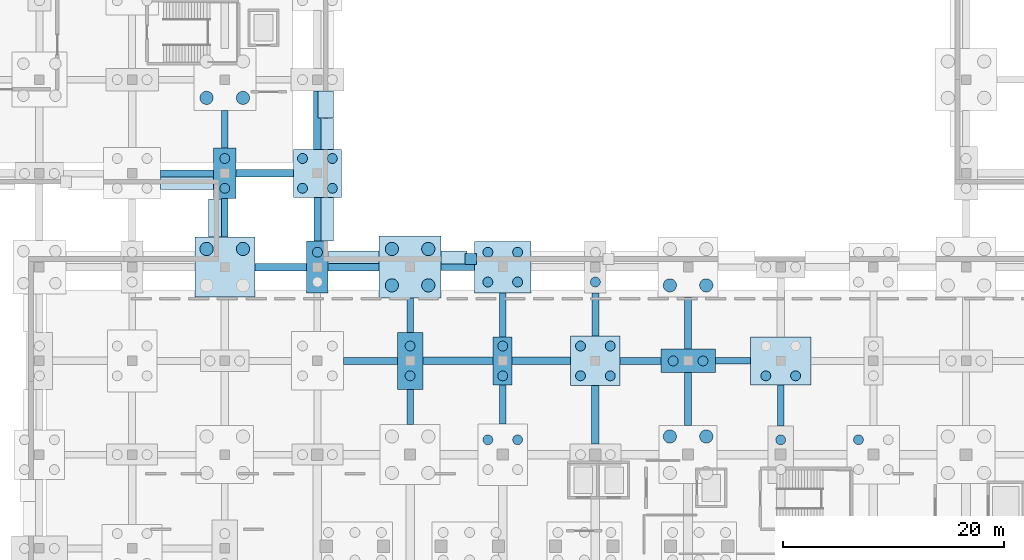
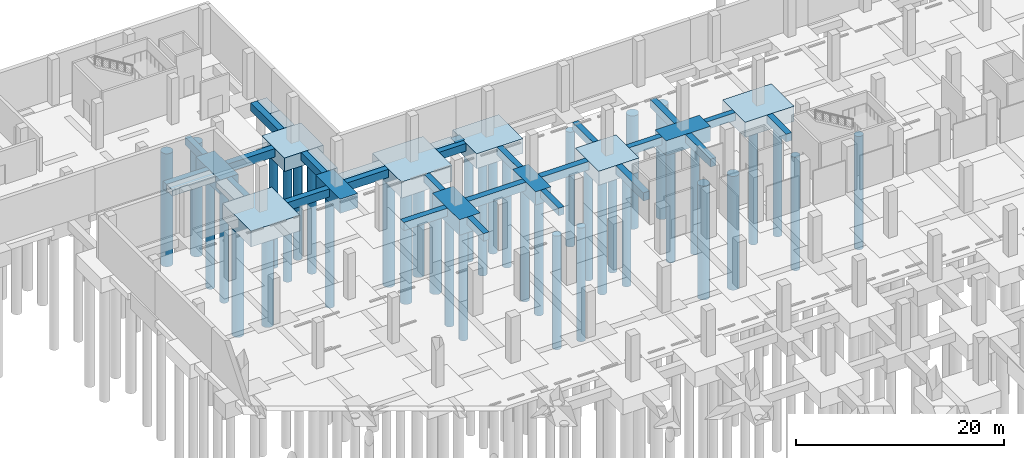
# One storey, part 10 of 34: 42 footings, 40 piles.
"""IFC4 building model written with IfcOpenShell, lengths in metres."""

from ifc_helpers import new_model, si_unit, direction, frame, origin, origin_2d, place, context, subcontext, project, spatial, rectangle, circle, extrude, material, material_profile, profile_set, type_object, element, save


model = new_model("IFC4")

# Units and contexts
model_context = context("Model", 3, precision=1e-05, world=origin(), true_north=direction((0.0, 1.0)))
body_context = subcontext(model_context, "Body", "Model", "MODEL_VIEW")
ifc_project = project(units=[si_unit("LENGTHUNIT", "METRE"), si_unit("AREAUNIT", "SQUARE_METRE"), si_unit("VOLUMEUNIT", "CUBIC_METRE"), si_unit("PLANEANGLEUNIT", "RADIAN"), si_unit("MASSUNIT", "GRAM", prefix="KILO")], contexts=[model_context])

# Site, building, storey
site_placement = place(None, origin())
site = spatial("IfcSite", under=ifc_project, at=site_placement, CompositionType="ELEMENT")
building_placement = place(site_placement, origin())
building = spatial("IfcBuilding", under=site, at=building_placement, Name="Solvento Point Concert Hall", CompositionType="ELEMENT")
storey_placement = place(building_placement, frame((0.0, 0.0, -5.39990234375)))
storey = spatial("IfcBuildingStorey", under=building, at=storey_placement, Name="B01", CompositionType="ELEMENT", Elevation=-5.39990234375)

# Piles
ifc_material_1 = material(Name="Concrete C40/50", Category="concrete")
ifc_material_profile_1 = material_profile(ifc_material_1, circle(Radius=0.60009765625, at=origin_2d()), Name="BP-1200")
ifc_profile_set_1 = profile_set([ifc_material_profile_1], Name="Concrete C40/50")
pile_type_1 = type_object("IfcPileType", Name="BoredPile_1200", PredefinedType="BORED", material=ifc_profile_set_1)
for number, where, z_axis, x_axis, name in (
    (1, (64.35009765625, 112.14990234375, -1.75), (0.0, 0.0, -1.0), (1.0, 0.0, 0.0), "Bored pile BoredPile_1200 #249"),
    (2, (67.64990234375, 112.14990234375, -1.75), (0.0, 0.0, -1.0), (1.0, 0.0, 0.0), "Bored pile BoredPile_1200 #250"),
):
    element("IfcPile", number, at=place(storey_placement, frame(where, z_axis=z_axis, x_axis=x_axis)), inside=storey, type_object=pile_type_1, Name=name, PredefinedType="BORED", context=body_context, shape_type="SweptSolid", body=[
        extrude(circle(Radius=0.60009765625, at=origin_2d()), origin(), (0.0, 0.0, 1.0), 13.35009765625),
    ])
for number, where, z_axis, x_axis, name in (
    (3, (64.35009765625, 125.85009765625, -1.800048828125), (0.0, 0.0, -1.0), (1.0, 0.0, 0.0), "Bored pile BoredPile_1200 #253"),
    (4, (67.64990234375, 125.85009765625, -1.800048828125), (0.0, 0.0, -1.0), (1.0, 0.0, 0.0), "Bored pile BoredPile_1200 #254"),
    (5, (81.14990234375, 108.85009765625, -1.800048828125), (0.0, 0.0, -1.0), (1.0, 0.0, 0.0), "Bored pile BoredPile_1200 #325"),
    (6, (84.449951171875, 108.85009765625, -1.800048828125), (0.0, 0.0, -1.0), (1.0, 0.0, 0.0), "Bored pile BoredPile_1200 #326"),
    (7, (81.14990234375, 112.14990234375, -1.800048828125), (0.0, 0.0, -1.0), (1.0, 0.0, 0.0), "Bored pile BoredPile_1200 #327"),
    (8, (84.449951171875, 112.14990234375, -1.800048828125), (0.0, 0.0, -1.0), (1.0, 0.0, 0.0), "Bored pile BoredPile_1200 #328"),
):
    element("IfcPile", number, at=place(storey_placement, frame(where, z_axis=z_axis, x_axis=x_axis)), inside=storey, type_object=pile_type_1, Name=name, PredefinedType="BORED", context=body_context, shape_type="SweptSolid", body=[
        extrude(circle(Radius=0.60009765625, at=origin_2d()), origin(), (0.0, 0.0, 1.0), 13.300048828125),
    ])
for number, where, z_axis, x_axis, name in (
    (9, (106.35009765625, 95.14990234375, -1.7001953125), (0.0, 0.0, -1.0), (1.0, 0.0, 0.0), "Bored pile BoredPile_1200 #387"),
    (10, (109.64990234375, 95.14990234375, -1.7001953125), (0.0, 0.0, -1.0), (1.0, 0.0, 0.0), "Bored pile BoredPile_1200 #388"),
):
    element("IfcPile", number, at=place(storey_placement, frame(where, z_axis=z_axis, x_axis=x_axis)), inside=storey, type_object=pile_type_1, Name=name, PredefinedType="BORED", context=body_context, shape_type="SweptSolid", body=[
        extrude(circle(Radius=0.60009765625, at=origin_2d()), origin(), (0.0, 0.0, 1.0), 13.39990234375),
    ])
for number, where, z_axis, x_axis, name in (
    (11, (106.35009765625, 108.85009765625, -1.75), (0.0, 0.0, -1.0), (1.0, 0.0, 0.0), "Bored pile BoredPile_1200 #391"),
    (12, (109.64990234375, 108.85009765625, -1.75), (0.0, 0.0, -1.0), (1.0, 0.0, 0.0), "Bored pile BoredPile_1200 #392"),
):
    element("IfcPile", number, at=place(storey_placement, frame(where, z_axis=z_axis, x_axis=x_axis)), inside=storey, type_object=pile_type_1, Name=name, PredefinedType="BORED", context=body_context, shape_type="SweptSolid", body=[
        extrude(circle(Radius=0.60009765625, at=origin_2d()), origin(), (0.0, 0.0, 1.0), 13.35009765625),
    ])
ifc_material_2 = material(Name="Concrete C40/50", Category="concrete")
ifc_material_profile_2 = material_profile(ifc_material_2, circle(Radius=0.449951171875, at=origin_2d()), Name="BP-900")
ifc_profile_set_2 = profile_set([ifc_material_profile_2], Name="Concrete C40/50")
pile_type_2 = type_object("IfcPileType", Name="BoredPile_900", PredefinedType="BORED", material=ifc_profile_set_2)
for number, where, z_axis, x_axis, name in (
    (13, (66.0, 117.64990234375, -1.56005859375), (0.0, 0.0, -1.0), (1.0, 0.0, 0.0), "Bored pile BoredPile_900 #251"),
    (14, (66.0, 120.35009765625, -1.56005859375), (0.0, 0.0, -1.0), (1.0, 0.0, 0.0), "Bored pile BoredPile_900 #252"),
):
    element("IfcPile", number, at=place(storey_placement, frame(where, z_axis=z_axis, x_axis=x_axis)), inside=storey, type_object=pile_type_2, Name=name, PredefinedType="BORED", context=body_context, shape_type="SweptSolid", body=[
        extrude(circle(Radius=0.449951171875, at=origin_2d()), origin(), (0.0, 0.0, 1.0), 13.5400390625),
    ])
pile_1_placement = place(storey_placement, frame((74.39990234375, 111.85009765625, -1.580078125), z_axis=(0.0, 0.0, -1.0), x_axis=(1.0, 0.0, 0.0)))
element("IfcPile", 15, at=pile_1_placement, inside=storey, type_object=pile_type_2, Name="Bored pile BoredPile_900 #288", PredefinedType="BORED", context=body_context, shape_type="SweptSolid", body=[
    extrude(circle(Radius=0.449951171875, at=origin_2d()), origin(), (0.0, 0.0, 1.0), 13.52001953125),
])
for number, where, z_axis, x_axis, name in (
    (16, (73.050048828125, 117.64990234375, -1.5), (0.0, 0.0, -1.0), (1.0, 0.0, 0.0), "Bored pile BoredPile_900 #289"),
    (17, (75.75, 117.64990234375, -1.5), (0.0, 0.0, -1.0), (1.0, 0.0, 0.0), "Bored pile BoredPile_900 #290"),
    (18, (73.050048828125, 120.35009765625, -1.5), (0.0, 0.0, -1.0), (1.0, 0.0, 0.0), "Bored pile BoredPile_900 #291"),
    (19, (75.75, 120.35009765625, -1.5), (0.0, 0.0, -1.0), (1.0, 0.0, 0.0), "Bored pile BoredPile_900 #292"),
):
    element("IfcPile", number, at=place(storey_placement, frame(where, z_axis=z_axis, x_axis=x_axis)), inside=storey, type_object=pile_type_2, Name=name, PredefinedType="BORED", context=body_context, shape_type="SweptSolid", body=[
        extrude(circle(Radius=0.449951171875, at=origin_2d()), origin(), (0.0, 0.0, 1.0), 13.60009765625),
    ])
for number, where, z_axis, x_axis, name in (
    (20, (82.800048828125, 100.64990234375, -1.739990234375), (0.0, 0.0, -1.0), (1.0, 0.0, 0.0), "Bored pile BoredPile_900 #323"),
    (21, (82.800048828125, 103.35009765625, -1.739990234375), (0.0, 0.0, -1.0), (1.0, 0.0, 0.0), "Bored pile BoredPile_900 #324"),
):
    element("IfcPile", number, at=place(storey_placement, frame(where, z_axis=z_axis, x_axis=x_axis)), inside=storey, type_object=pile_type_2, Name=name, PredefinedType="BORED", context=body_context, shape_type="SweptSolid", body=[
        extrude(circle(Radius=0.449951171875, at=origin_2d()), origin(), (0.0, 0.0, 1.0), 13.360107421875),
    ])
for number, where, z_axis, x_axis, name in (
    (22, (89.85009765625, 94.85009765625, -1.72021484375), (0.0, 0.0, -1.0), (1.0, 0.0, 0.0), "Bored pile BoredPile_900 #345"),
    (23, (92.550048828125, 94.85009765625, -1.72021484375), (0.0, 0.0, -1.0), (1.0, 0.0, 0.0), "Bored pile BoredPile_900 #346"),
):
    element("IfcPile", number, at=place(storey_placement, frame(where, z_axis=z_axis, x_axis=x_axis)), inside=storey, type_object=pile_type_2, Name=name, PredefinedType="BORED", context=body_context, shape_type="SweptSolid", body=[
        extrude(circle(Radius=0.449951171875, at=origin_2d()), origin(), (0.0, 0.0, 1.0), 13.3798828125),
    ])
for number, where, z_axis, x_axis, name in (
    (24, (91.199951171875, 100.64990234375, -1.47998046875), (0.0, 0.0, -1.0), (1.0, 0.0, 0.0), "Bored pile BoredPile_900 #347"),
    (25, (91.199951171875, 103.35009765625, -1.47998046875), (0.0, 0.0, -1.0), (1.0, 0.0, 0.0), "Bored pile BoredPile_900 #348"),
):
    element("IfcPile", number, at=place(storey_placement, frame(where, z_axis=z_axis, x_axis=x_axis)), inside=storey, type_object=pile_type_2, Name=name, PredefinedType="BORED", context=body_context, shape_type="SweptSolid", body=[
        extrude(circle(Radius=0.449951171875, at=origin_2d()), origin(), (0.0, 0.0, 1.0), 13.6201171875),
    ])
for number, where, z_axis, x_axis, name in (
    (26, (89.85009765625, 109.14990234375, -1.64013671875), (0.0, 0.0, -1.0), (1.0, 0.0, 0.0), "Bored pile BoredPile_900 #349"),
    (27, (92.550048828125, 109.14990234375, -1.64013671875), (0.0, 0.0, -1.0), (1.0, 0.0, 0.0), "Bored pile BoredPile_900 #350"),
    (28, (89.85009765625, 111.85009765625, -1.64013671875), (0.0, 0.0, -1.0), (1.0, 0.0, 0.0), "Bored pile BoredPile_900 #351"),
    (29, (92.550048828125, 111.85009765625, -1.64013671875), (0.0, 0.0, -1.0), (1.0, 0.0, 0.0), "Bored pile BoredPile_900 #352"),
):
    element("IfcPile", number, at=place(storey_placement, frame(where, z_axis=z_axis, x_axis=x_axis)), inside=storey, type_object=pile_type_2, Name=name, PredefinedType="BORED", context=body_context, shape_type="SweptSolid", body=[
        extrude(circle(Radius=0.449951171875, at=origin_2d()), origin(), (0.0, 0.0, 1.0), 13.4599609375),
    ])
for number, where, z_axis, x_axis, name in (
    (30, (98.25, 100.64990234375, -1.550048828125), (0.0, 0.0, -1.0), (1.0, 0.0, 0.0), "Bored pile BoredPile_900 #367"),
    (31, (100.949951171875, 100.64990234375, -1.550048828125), (0.0, 0.0, -1.0), (1.0, 0.0, 0.0), "Bored pile BoredPile_900 #368"),
    (32, (98.25, 103.35009765625, -1.550048828125), (0.0, 0.0, -1.0), (1.0, 0.0, 0.0), "Bored pile BoredPile_900 #369"),
    (33, (100.949951171875, 103.35009765625, -1.550048828125), (0.0, 0.0, -1.0), (1.0, 0.0, 0.0), "Bored pile BoredPile_900 #370"),
):
    element("IfcPile", number, at=place(storey_placement, frame(where, z_axis=z_axis, x_axis=x_axis)), inside=storey, type_object=pile_type_2, Name=name, PredefinedType="BORED", context=body_context, shape_type="SweptSolid", body=[
        extrude(circle(Radius=0.449951171875, at=origin_2d()), origin(), (0.0, 0.0, 1.0), 13.550048828125),
    ])
pile_2_placement = place(storey_placement, frame((99.60009765625, 109.14990234375, -1.580078125), z_axis=(0.0, 0.0, -1.0), x_axis=(1.0, 0.0, 0.0)))
element("IfcPile", 34, at=pile_2_placement, inside=storey, type_object=pile_type_2, Name="Bored pile BoredPile_900 #371", PredefinedType="BORED", context=body_context, shape_type="SweptSolid", body=[
    extrude(circle(Radius=0.449951171875, at=origin_2d()), origin(), (0.0, 0.0, 1.0), 13.52001953125),
])
for number, where, z_axis, x_axis, name in (
    (35, (106.64990234375, 102.0, -1.650146484375), (0.0, 0.0, -1.0), (1.0, 0.0, 0.0), "Bored pile BoredPile_900 #389"),
    (36, (109.35009765625, 102.0, -1.650146484375), (0.0, 0.0, -1.0), (1.0, 0.0, 0.0), "Bored pile BoredPile_900 #390"),
):
    element("IfcPile", number, at=place(storey_placement, frame(where, z_axis=z_axis, x_axis=x_axis)), inside=storey, type_object=pile_type_2, Name=name, PredefinedType="BORED", context=body_context, shape_type="SweptSolid", body=[
        extrude(circle(Radius=0.449951171875, at=origin_2d()), origin(), (0.0, 0.0, 1.0), 13.449951171875),
    ])
pile_3_placement = place(storey_placement, frame((116.39990234375, 94.85009765625, -1.739990234375), z_axis=(0.0, 0.0, -1.0), x_axis=(1.0, 0.0, 0.0)))
element("IfcPile", 37, at=pile_3_placement, inside=storey, type_object=pile_type_2, Name="Bored pile BoredPile_900 #408", PredefinedType="BORED", context=body_context, shape_type="SweptSolid", body=[
    extrude(circle(Radius=0.449951171875, at=origin_2d()), origin(), (0.0, 0.0, 1.0), 13.360107421875),
])
for number, where, z_axis, x_axis, name in (
    (38, (115.050048828125, 100.64990234375, -1.68017578125), (0.0, 0.0, -1.0), (1.0, 0.0, 0.0), "Bored pile BoredPile_900 #409"),
    (39, (117.75, 100.64990234375, -1.68017578125), (0.0, 0.0, -1.0), (1.0, 0.0, 0.0), "Bored pile BoredPile_900 #410"),
):
    element("IfcPile", number, at=place(storey_placement, frame(where, z_axis=z_axis, x_axis=x_axis)), inside=storey, type_object=pile_type_2, Name=name, PredefinedType="BORED", context=body_context, shape_type="SweptSolid", body=[
        extrude(circle(Radius=0.449951171875, at=origin_2d()), origin(), (0.0, 0.0, 1.0), 13.419921875),
    ])
pile_4_placement = place(storey_placement, frame((123.449951171875, 94.85009765625, -1.760009765625), z_axis=(0.0, 0.0, -1.0), x_axis=(1.0, 0.0, 0.0)))
element("IfcPile", 40, at=pile_4_placement, inside=storey, type_object=pile_type_2, Name="Bored pile BoredPile_900 #429", PredefinedType="BORED", context=body_context, shape_type="SweptSolid", body=[
    extrude(circle(Radius=0.449951171875, at=origin_2d()), origin(), (0.0, 0.0, 1.0), 13.340087890625),
])

# Footings
ifc_material_3 = material(Name="Concrete C40/50", Category="concrete")
footing_type_1 = type_object("IfcFootingType", Name="PileCap_2B", PredefinedType="PILE_CAP", material=ifc_material_3)
footing_1_placement = place(storey_placement, frame((91.199951171875, 102.0, -1.580078125), z_axis=(0.0, 0.0, 1.0), x_axis=(1.0, 0.0, 0.0)))
element("IfcFooting", 41, at=footing_1_placement, inside=storey, type_object=footing_type_1, Name="Pile cap PC-2B at G-12-N", PredefinedType="PILE_CAP", context=body_context, shape_type="SweptSolid", body=[
    extrude(rectangle(XDim=1.719970703125, YDim=4.3798828125, at=origin_2d()), origin(), (0.0, 0.0, 1.0), 1.580078125),
])
ifc_material_4 = material(Name="Concrete C40/50", Category="concrete")
footing_type_2 = type_object("IfcFootingType", Name="PileCap_2F", PredefinedType="PILE_CAP", material=ifc_material_4)
footing_2_placement = place(storey_placement, frame((74.39990234375, 110.5, -1.68017578125), z_axis=(0.0, 0.0, 1.0), x_axis=(1.0, 0.0, 0.0)))
element("IfcFooting", 42, at=footing_2_placement, inside=storey, type_object=footing_type_2, Name="Pile cap PC-2F at G-10-P", PredefinedType="PILE_CAP", context=body_context, shape_type="SweptSolid", body=[
    extrude(rectangle(XDim=1.9599609375, YDim=4.699951171875, at=origin_2d()), origin(), (0.0, 0.0, 1.0), 1.679931640625),
])
ifc_material_5 = material(Name="Concrete C40/50", Category="concrete")
footing_type_3 = type_object("IfcFootingType", Name="PileCap_2J", PredefinedType="PILE_CAP", material=ifc_material_5)
footing_3_placement = place(storey_placement, frame((108.0, 102.0, -1.75), z_axis=(0.0, 0.0, 1.0), x_axis=(1.0, 0.0, 0.0)))
element("IfcFooting", 43, at=footing_3_placement, inside=storey, type_object=footing_type_3, Name="Pile cap PC-2J at G-14-N", PredefinedType="PILE_CAP", context=body_context, shape_type="SweptSolid", body=[
    extrude(rectangle(XDim=4.93994140625, YDim=2.139892578125, at=origin_2d()), origin(), (0.0, 0.0, 1.0), 1.75),
])
ifc_material_6 = material(Name="Concrete C40/50", Category="concrete")
footing_type_4 = type_object("IfcFootingType", Name="PileCap_2M", PredefinedType="PILE_CAP", material=ifc_material_6)
footing_4_placement = place(storey_placement, frame((82.800048828125, 102.0, -1.84033203125), z_axis=(0.0, 0.0, 1.0), x_axis=(1.0, 0.0, 0.0)))
element("IfcFooting", 44, at=footing_4_placement, inside=storey, type_object=footing_type_4, Name="Pile cap PC-2M at G-11-N", PredefinedType="PILE_CAP", context=body_context, shape_type="SweptSolid", body=[
    extrude(rectangle(XDim=2.320068359375, YDim=5.179931640625, at=origin_2d()), origin(), (0.0, 0.0, 1.0), 1.840087890625),
])
ifc_material_7 = material(Name="Concrete C40/50", Category="concrete")
footing_type_5 = type_object("IfcFootingType", Name="PileCap_2P", PredefinedType="PILE_CAP", material=ifc_material_7)
footing_5_placement = place(storey_placement, frame((66.0, 119.0, -1.66015625), z_axis=(0.0, 0.0, 1.0), x_axis=(1.0, 0.0, 0.0)))
element("IfcFooting", 45, at=footing_5_placement, inside=storey, type_object=footing_type_5, Name="Pile cap PC-2P at G-09-Q", PredefinedType="PILE_CAP", context=body_context, shape_type="SweptSolid", body=[
    extrude(rectangle(XDim=2.050048828125, YDim=4.580078125, at=origin_2d()), origin(), (0.0, 0.0, 1.0), 1.659912109375),
])
ifc_material_8 = material(Name="Concrete C40/50", Category="concrete")
footing_type_6 = type_object("IfcFootingType", Name="PileCap_4A", PredefinedType="PILE_CAP", material=ifc_material_8)
footing_6_placement = place(storey_placement, frame((74.39990234375, 119.0, -1.60009765625), z_axis=(0.0, 0.0, 1.0), x_axis=(1.0, 0.0, 0.0)))
element("IfcFooting", 46, at=footing_6_placement, inside=storey, type_object=footing_type_6, Name="Pile cap PC-4A at G-10-Q", PredefinedType="PILE_CAP", context=body_context, shape_type="SweptSolid", body=[
    extrude(rectangle(XDim=4.35009765625, YDim=4.35009765625, at=origin_2d()), origin(), (0.0, 0.0, 1.0), 1.60009765625),
])
ifc_material_9 = material(Name="Concrete C40/50", Category="concrete")
footing_type_7 = type_object("IfcFootingType", Name="PileCap_4B", PredefinedType="PILE_CAP", material=ifc_material_9)
footing_7_placement = place(storey_placement, frame((99.60009765625, 102.0, -1.650146484375), z_axis=(0.0, 0.0, 1.0), x_axis=(1.0, 0.0, 0.0)))
element("IfcFooting", 47, at=footing_7_placement, inside=storey, type_object=footing_type_7, Name="Pile cap PC-4B at G-13-N", PredefinedType="PILE_CAP", context=body_context, shape_type="SweptSolid", body=[
    extrude(rectangle(XDim=4.5, YDim=4.5, at=origin_2d()), origin(), (0.0, 0.0, 1.0), 1.64990234375),
])
ifc_material_10 = material(Name="Concrete C40/50", Category="concrete")
footing_type_8 = type_object("IfcFootingType", Name="PileCap_4F", PredefinedType="PILE_CAP", material=ifc_material_10)
footing_8_placement = place(storey_placement, frame((66.0, 110.5, -1.85009765625), z_axis=(0.0, 0.0, 1.0), x_axis=(1.0, 0.0, 0.0)))
element("IfcFooting", 48, at=footing_8_placement, inside=storey, type_object=footing_type_8, Name="Pile cap PC-4F at G-09-P", PredefinedType="PILE_CAP", context=body_context, shape_type="SweptSolid", body=[
    extrude(rectangle(XDim=5.43994140625, YDim=5.43994140625, at=origin_2d()), origin(), (0.0, 0.0, 1.0), 1.85009765625),
])
ifc_material_11 = material(Name="Concrete C40/50", Category="concrete")
footing_type_9 = type_object("IfcFootingType", Name="PileCap_4G", PredefinedType="PILE_CAP", material=ifc_material_11)
footing_9_placement = place(storey_placement, frame((82.800048828125, 110.5, -1.900146484375), z_axis=(0.0, 0.0, 1.0), x_axis=(1.0, 0.0, 0.0)))
element("IfcFooting", 49, at=footing_9_placement, inside=storey, type_object=footing_type_9, Name="Pile cap PC-4G at G-11-P", PredefinedType="PILE_CAP", context=body_context, shape_type="SweptSolid", body=[
    extrude(rectangle(XDim=5.6201171875, YDim=5.6201171875, at=origin_2d()), origin(), (0.0, 0.0, 1.0), 1.89990234375),
])
ifc_material_12 = material(Name="Concrete C40/50", Category="concrete")
footing_type_10 = type_object("IfcFootingType", Name="PileCap_4J", PredefinedType="PILE_CAP", material=ifc_material_12)
footing_10_placement = place(storey_placement, frame((116.39990234375, 102.0, -1.7802734375), z_axis=(0.0, 0.0, 1.0), x_axis=(1.0, 0.0, 0.0)))
element("IfcFooting", 50, at=footing_10_placement, inside=storey, type_object=footing_type_10, Name="Pile cap PC-4J at G-15-N", PredefinedType="PILE_CAP", context=body_context, shape_type="SweptSolid", body=[
    extrude(rectangle(XDim=5.4599609375, YDim=4.360107421875, at=origin_2d()), origin(), (0.0, 0.0, 1.0), 1.780029296875),
])
ifc_material_13 = material(Name="Concrete C40/50", Category="concrete")
footing_type_11 = type_object("IfcFootingType", Name="PileCap_4L", PredefinedType="PILE_CAP", material=ifc_material_13)
footing_11_placement = place(storey_placement, frame((91.199951171875, 110.5, -1.740234375), z_axis=(0.0, 0.0, 1.0), x_axis=(1.0, 0.0, 0.0)))
element("IfcFooting", 51, at=footing_11_placement, inside=storey, type_object=footing_type_11, Name="Pile cap PC-4L at G-12-P", PredefinedType="PILE_CAP", context=body_context, shape_type="SweptSolid", body=[
    extrude(rectangle(XDim=5.159912109375, YDim=4.659912109375, at=origin_2d()), origin(), (0.0, 0.0, 1.0), 1.739990234375),
])
ifc_material_14 = material(Name="Concrete C40/50", Category="concrete")
footing_type_12 = type_object("IfcFootingType", Name="StripFooting_1400x700", PredefinedType="STRIP_FOOTING", material=ifc_material_14)
footing_12_placement = place(storey_placement, frame((65.2451171875, 114.965087890625, -0.7001953125), z_axis=(0.0, 0.0, 1.0), x_axis=(0.0, 1.0, 0.0)))
element("IfcFooting", 52, at=footing_12_placement, inside=storey, type_object=footing_type_12, Name="Strip footing SF-02", PredefinedType="STRIP_FOOTING", context=body_context, shape_type="SweptSolid", body=[
    extrude(rectangle(XDim=3.469970703125, YDim=1.39990234375, at=origin_2d()), origin(), (0.0, 0.0, 1.0), 0.699951171875),
])
footing_13_placement = place(storey_placement, frame((62.577392578125, 118.2451171875, -0.7001953125), z_axis=(0.0, 0.0, 1.0), x_axis=(-1.0, 0.0, 0.0)))
element("IfcFooting", 53, at=footing_13_placement, inside=storey, type_object=footing_type_12, Name="Strip footing SF-02", PredefinedType="STRIP_FOOTING", context=body_context, shape_type="SweptSolid", body=[
    extrude(rectangle(XDim=4.77490234375, YDim=1.39990234375, at=origin_2d()), origin(), (0.0, 0.0, 1.0), 0.699951171875),
])
footing_14_placement = place(storey_placement, frame((75.155029296875, 125.242431640625, -0.7001953125), z_axis=(0.0, 0.0, 1.0), x_axis=(0.0, -1.0, 0.0)))
element("IfcFooting", 54, at=footing_14_placement, inside=storey, type_object=footing_type_12, Name="Strip footing SF-02", PredefinedType="STRIP_FOOTING", context=body_context, shape_type="SweptSolid", body=[
    extrude(rectangle(XDim=2.47509765625, YDim=1.39990234375, at=origin_2d()), origin(), (0.0, 0.0, 1.0), 0.699951171875),
])
footing_15_placement = place(storey_placement, frame((75.155029296875, 122.590087890625, -0.7001953125), z_axis=(0.0, 0.0, 1.0), x_axis=(0.0, -1.0, 0.0)))
element("IfcFooting", 55, at=footing_15_placement, inside=storey, type_object=footing_type_12, Name="Strip footing SF-02", PredefinedType="STRIP_FOOTING", context=body_context, shape_type="SweptSolid", body=[
    extrude(rectangle(XDim=2.81005859375, YDim=1.39990234375, at=origin_2d()), origin(), (0.0, 0.0, 1.0), 0.699951171875),
])
footing_16_placement = place(storey_placement, frame((75.155029296875, 114.83740234375, -0.7001953125), z_axis=(0.0, 0.0, 1.0), x_axis=(0.0, -1.0, 0.0)))
element("IfcFooting", 56, at=footing_16_placement, inside=storey, type_object=footing_type_12, Name="Strip footing SF-02", PredefinedType="STRIP_FOOTING", context=body_context, shape_type="SweptSolid", body=[
    extrude(rectangle(XDim=3.955078125, YDim=1.39990234375, at=origin_2d()), origin(), (0.0, 0.0, 1.0), 0.699951171875),
])
footing_17_placement = place(storey_placement, frame((77.68505859375, 111.2548828125, -0.7001953125), z_axis=(0.0, 0.0, 1.0), x_axis=(1.0, 0.0, 0.0)))
element("IfcFooting", 57, at=footing_17_placement, inside=storey, type_object=footing_type_12, Name="Strip footing SF-02", PredefinedType="STRIP_FOOTING", context=body_context, shape_type="SweptSolid", body=[
    extrude(rectangle(XDim=4.590087890625, YDim=1.39990234375, at=origin_2d()), origin(), (0.0, 0.0, 1.0), 0.699951171875),
])
footing_18_placement = place(storey_placement, frame((86.79931640625, 111.2548828125, -0.7001953125), z_axis=(0.0, 0.0, 1.0), x_axis=(1.0, 0.0, 0.0)))
element("IfcFooting", 58, at=footing_18_placement, inside=storey, type_object=footing_type_12, Name="Strip footing SF-02", PredefinedType="STRIP_FOOTING", context=body_context, shape_type="SweptSolid", body=[
    extrude(rectangle(XDim=2.358642578125, YDim=1.39990234375, at=origin_2d()), origin(), (0.0, 0.0, 1.0), 0.699951171875),
])
footing_19_placement = place(storey_placement, frame((88.29931640625, 111.2548828125, -0.7001953125), z_axis=(0.0, 0.0, 1.0), x_axis=(1.0, 0.0, 0.0)))
element("IfcFooting", 59, at=footing_19_placement, inside=storey, type_object=footing_type_12, Name="Strip footing SF-02", PredefinedType="STRIP_FOOTING", context=body_context, shape_type="SweptSolid", body=[
    extrude(rectangle(XDim=1.0, YDim=1.0, at=origin_2d()), origin(), (0.0, 0.0, 1.0), 0.699951171875),
])
ifc_material_15 = material(Name="Concrete C40/50", Category="concrete")
footing_type_13 = type_object("IfcFootingType", Name="TieBeam_600x900", PredefinedType="FOOTING_BEAM", material=ifc_material_15)
footing_20_placement = place(storey_placement, frame((112.070068359375, 102.0, -0.900146484375), z_axis=(0.0, 0.0, 1.0), x_axis=(1.0, 0.0, 0.0)))
element("IfcFooting", 60, at=footing_20_placement, inside=storey, type_object=footing_type_13, Name="Seismic tie beam GB-01", PredefinedType="FOOTING_BEAM", context=body_context, shape_type="SweptSolid", body=[
    extrude(rectangle(XDim=3.199951171875, YDim=0.60009765625, at=origin_2d()), origin(), (0.0, 0.0, 1.0), 0.89990234375),
])
footing_21_placement = place(storey_placement, frame((87.114990234375, 110.5, -0.900146484375), z_axis=(0.0, 0.0, 1.0), x_axis=(1.0, 0.0, 0.0)))
element("IfcFooting", 61, at=footing_21_placement, inside=storey, type_object=footing_type_13, Name="Seismic tie beam GB-01", PredefinedType="FOOTING_BEAM", context=body_context, shape_type="SweptSolid", body=[
    extrude(rectangle(XDim=3.010009765625, YDim=0.60009765625, at=origin_2d()), origin(), (0.0, 0.0, 1.0), 0.89990234375),
])
footing_22_placement = place(storey_placement, frame((66.0, 114.965087890625, -0.900146484375), z_axis=(0.0, 0.0, 1.0), x_axis=(0.0, 1.0, 0.0)))
element("IfcFooting", 62, at=footing_22_placement, inside=storey, type_object=footing_type_13, Name="Seismic tie beam GB-01", PredefinedType="FOOTING_BEAM", context=body_context, shape_type="SweptSolid", body=[
    extrude(rectangle(XDim=3.489990234375, YDim=0.60009765625, at=origin_2d()), origin(), (0.0, 0.0, 1.0), 0.89990234375),
])
footing_23_placement = place(storey_placement, frame((66.0, 122.989990234375, -0.900146484375), z_axis=(0.0, 0.0, 1.0), x_axis=(0.0, 1.0, 0.0)))
element("IfcFooting", 63, at=footing_23_placement, inside=storey, type_object=footing_type_13, Name="Seismic tie beam GB-01", PredefinedType="FOOTING_BEAM", context=body_context, shape_type="SweptSolid", body=[
    extrude(rectangle(XDim=3.39990234375, YDim=0.60009765625, at=origin_2d()), origin(), (0.0, 0.0, 1.0), 0.89990234375),
])
footing_24_placement = place(storey_placement, frame((82.800048828125, 97.81494140625, -0.900146484375), z_axis=(0.0, 0.0, 1.0), x_axis=(0.0, 1.0, 0.0)))
element("IfcFooting", 64, at=footing_24_placement, inside=storey, type_object=footing_type_13, Name="Seismic tie beam GB-01", PredefinedType="FOOTING_BEAM", context=body_context, shape_type="SweptSolid", body=[
    extrude(rectangle(XDim=3.18994140625, YDim=0.60009765625, at=origin_2d()), origin(), (0.0, 0.0, 1.0), 0.89990234375),
])
footing_25_placement = place(storey_placement, frame((82.800048828125, 106.139892578125, -0.900146484375), z_axis=(0.0, 0.0, 1.0), x_axis=(0.0, 1.0, 0.0)))
element("IfcFooting", 65, at=footing_25_placement, inside=storey, type_object=footing_type_13, Name="Seismic tie beam GB-01", PredefinedType="FOOTING_BEAM", context=body_context, shape_type="SweptSolid", body=[
    extrude(rectangle(XDim=3.10009765625, YDim=0.60009765625, at=origin_2d()), origin(), (0.0, 0.0, 1.0), 0.89990234375),
])
footing_26_placement = place(storey_placement, frame((91.199951171875, 98.054931640625, -0.900146484375), z_axis=(0.0, 0.0, 1.0), x_axis=(0.0, 1.0, 0.0)))
element("IfcFooting", 66, at=footing_26_placement, inside=storey, type_object=footing_type_13, Name="Seismic tie beam GB-01", PredefinedType="FOOTING_BEAM", context=body_context, shape_type="SweptSolid", body=[
    extrude(rectangle(XDim=3.510009765625, YDim=0.60009765625, at=origin_2d()), origin(), (0.0, 0.0, 1.0), 0.89990234375),
])
ifc_material_16 = material(Name="Concrete C40/50", Category="concrete")
footing_type_14 = type_object("IfcFootingType", Name="TieBeam_620x920", PredefinedType="FOOTING_BEAM", material=ifc_material_16)
footing_27_placement = place(storey_placement, frame((103.68994140625, 102.0, -0.920166015625), z_axis=(0.0, 0.0, 1.0), x_axis=(1.0, 0.0, 0.0)))
element("IfcFooting", 67, at=footing_27_placement, inside=storey, type_object=footing_type_14, Name="Seismic tie beam GB-02", PredefinedType="FOOTING_BEAM", context=body_context, shape_type="SweptSolid", body=[
    extrude(rectangle(XDim=3.679931640625, YDim=0.6201171875, at=origin_2d()), origin(), (0.0, 0.0, 1.0), 0.919921875),
])
footing_28_placement = place(storey_placement, frame((74.39990234375, 114.83740234375, -0.920166015625), z_axis=(0.0, 0.0, 1.0), x_axis=(0.0, 1.0, 0.0)))
element("IfcFooting", 68, at=footing_28_placement, inside=storey, type_object=footing_type_14, Name="Seismic tie beam GB-02", PredefinedType="FOOTING_BEAM", context=body_context, shape_type="SweptSolid", body=[
    extrude(rectangle(XDim=3.97509765625, YDim=0.6201171875, at=origin_2d()), origin(), (0.0, 0.0, 1.0), 0.919921875),
])
footing_29_placement = place(storey_placement, frame((91.199951171875, 106.179931640625, -0.920166015625), z_axis=(0.0, 0.0, 1.0), x_axis=(0.0, 1.0, 0.0)))
element("IfcFooting", 69, at=footing_29_placement, inside=storey, type_object=footing_type_14, Name="Seismic tie beam GB-02", PredefinedType="FOOTING_BEAM", context=body_context, shape_type="SweptSolid", body=[
    extrude(rectangle(XDim=3.97998046875, YDim=0.6201171875, at=origin_2d()), origin(), (0.0, 0.0, 1.0), 0.919921875),
])
footing_30_placement = place(storey_placement, frame((99.60009765625, 106.199951171875, -0.920166015625), z_axis=(0.0, 0.0, 1.0), x_axis=(0.0, 1.0, 0.0)))
element("IfcFooting", 70, at=footing_30_placement, inside=storey, type_object=footing_type_14, Name="Seismic tie beam GB-02", PredefinedType="FOOTING_BEAM", context=body_context, shape_type="SweptSolid", body=[
    extrude(rectangle(XDim=3.89990234375, YDim=0.6201171875, at=origin_2d()), origin(), (0.0, 0.0, 1.0), 0.919921875),
])
footing_31_placement = place(storey_placement, frame((116.39990234375, 97.955078125, -0.920166015625), z_axis=(0.0, 0.0, 1.0), x_axis=(0.0, 1.0, 0.0)))
element("IfcFooting", 71, at=footing_31_placement, inside=storey, type_object=footing_type_14, Name="Seismic tie beam GB-02", PredefinedType="FOOTING_BEAM", context=body_context, shape_type="SweptSolid", body=[
    extrude(rectangle(XDim=3.72998046875, YDim=0.6201171875, at=origin_2d()), origin(), (0.0, 0.0, 1.0), 0.919921875),
])
ifc_material_17 = material(Name="Concrete C40/50", Category="concrete")
footing_type_15 = type_object("IfcFootingType", Name="TieBeam_650x950", PredefinedType="FOOTING_BEAM", material=ifc_material_17)
footing_32_placement = place(storey_placement, frame((79.205078125, 102.0, -0.9501953125), z_axis=(0.0, 0.0, 1.0), x_axis=(1.0, 0.0, 0.0)))
element("IfcFooting", 72, at=footing_32_placement, inside=storey, type_object=footing_type_15, Name="Seismic tie beam GB-03", PredefinedType="FOOTING_BEAM", context=body_context, shape_type="SweptSolid", body=[
    extrude(rectangle(XDim=4.8701171875, YDim=0.64990234375, at=origin_2d()), origin(), (0.0, 0.0, 1.0), 0.949951171875),
])
footing_33_placement = place(storey_placement, frame((71.070068359375, 110.5, -0.9501953125), z_axis=(0.0, 0.0, 1.0), x_axis=(1.0, 0.0, 0.0)))
element("IfcFooting", 73, at=footing_33_placement, inside=storey, type_object=footing_type_15, Name="Seismic tie beam GB-03", PredefinedType="FOOTING_BEAM", context=body_context, shape_type="SweptSolid", body=[
    extrude(rectangle(XDim=4.699951171875, YDim=0.64990234375, at=origin_2d()), origin(), (0.0, 0.0, 1.0), 0.949951171875),
])
footing_34_placement = place(storey_placement, frame((77.68505859375, 110.5, -0.9501953125), z_axis=(0.0, 0.0, 1.0), x_axis=(1.0, 0.0, 0.0)))
element("IfcFooting", 74, at=footing_34_placement, inside=storey, type_object=footing_type_15, Name="Seismic tie beam GB-03", PredefinedType="FOOTING_BEAM", context=body_context, shape_type="SweptSolid", body=[
    extrude(rectangle(XDim=4.610107421875, YDim=0.64990234375, at=origin_2d()), origin(), (0.0, 0.0, 1.0), 0.949951171875),
])
footing_35_placement = place(storey_placement, frame((62.577392578125, 119.0, -0.9501953125), z_axis=(0.0, 0.0, 1.0), x_axis=(1.0, 0.0, 0.0)))
element("IfcFooting", 75, at=footing_35_placement, inside=storey, type_object=footing_type_15, Name="Seismic tie beam GB-03", PredefinedType="FOOTING_BEAM", context=body_context, shape_type="SweptSolid", body=[
    extrude(rectangle(XDim=4.794921875, YDim=0.64990234375, at=origin_2d()), origin(), (0.0, 0.0, 1.0), 0.949951171875),
])
footing_36_placement = place(storey_placement, frame((108.0, 98.527587890625, -0.9501953125), z_axis=(0.0, 0.0, 1.0), x_axis=(0.0, 1.0, 0.0)))
element("IfcFooting", 76, at=footing_36_placement, inside=storey, type_object=footing_type_15, Name="Seismic tie beam GB-03", PredefinedType="FOOTING_BEAM", context=body_context, shape_type="SweptSolid", body=[
    extrude(rectangle(XDim=4.804931640625, YDim=0.64990234375, at=origin_2d()), origin(), (0.0, 0.0, 1.0), 0.949951171875),
])
footing_37_placement = place(storey_placement, frame((108.0, 105.425048828125, -0.9501953125), z_axis=(0.0, 0.0, 1.0), x_axis=(0.0, 1.0, 0.0)))
element("IfcFooting", 77, at=footing_37_placement, inside=storey, type_object=footing_type_15, Name="Seismic tie beam GB-03", PredefinedType="FOOTING_BEAM", context=body_context, shape_type="SweptSolid", body=[
    extrude(rectangle(XDim=4.7099609375, YDim=0.64990234375, at=origin_2d()), origin(), (0.0, 0.0, 1.0), 0.949951171875),
])
ifc_material_18 = material(Name="Concrete C40/50", Category="concrete")
footing_type_16 = type_object("IfcFootingType", Name="TieBeam_680x980", PredefinedType="FOOTING_BEAM", material=ifc_material_18)
footing_38_placement = place(storey_placement, frame((87.14990234375, 102.0, -0.97998046875), z_axis=(0.0, 0.0, 1.0), x_axis=(1.0, 0.0, 0.0)))
element("IfcFooting", 78, at=footing_38_placement, inside=storey, type_object=footing_type_16, Name="Seismic tie beam GB-04", PredefinedType="FOOTING_BEAM", context=body_context, shape_type="SweptSolid", body=[
    extrude(rectangle(XDim=6.3798828125, YDim=0.679931640625, at=origin_2d()), origin(), (0.0, 0.0, 1.0), 0.97998046875),
])
footing_39_placement = place(storey_placement, frame((94.705078125, 102.0, -0.97998046875), z_axis=(0.0, 0.0, 1.0), x_axis=(1.0, 0.0, 0.0)))
element("IfcFooting", 79, at=footing_39_placement, inside=storey, type_object=footing_type_16, Name="Seismic tie beam GB-04", PredefinedType="FOOTING_BEAM", context=body_context, shape_type="SweptSolid", body=[
    extrude(rectangle(XDim=5.2900390625, YDim=0.679931640625, at=origin_2d()), origin(), (0.0, 0.0, 1.0), 0.97998046875),
])
footing_40_placement = place(storey_placement, frame((69.625, 119.0, -0.97998046875), z_axis=(0.0, 0.0, 1.0), x_axis=(1.0, 0.0, 0.0)))
element("IfcFooting", 80, at=footing_40_placement, inside=storey, type_object=footing_type_16, Name="Seismic tie beam GB-04", PredefinedType="FOOTING_BEAM", context=body_context, shape_type="SweptSolid", body=[
    extrude(rectangle(XDim=5.199951171875, YDim=0.679931640625, at=origin_2d()), origin(), (0.0, 0.0, 1.0), 0.97998046875),
])
footing_41_placement = place(storey_placement, frame((74.39990234375, 123.83251953125, -0.97998046875), z_axis=(0.0, 0.0, 1.0), x_axis=(0.0, 1.0, 0.0)))
element("IfcFooting", 81, at=footing_41_placement, inside=storey, type_object=footing_type_16, Name="Seismic tie beam GB-04", PredefinedType="FOOTING_BEAM", context=body_context, shape_type="SweptSolid", body=[
    extrude(rectangle(XDim=5.31494140625, YDim=0.679931640625, at=origin_2d()), origin(), (0.0, 0.0, 1.0), 0.97998046875),
])
footing_42_placement = place(storey_placement, frame((99.60009765625, 97.10009765625, -0.97998046875), z_axis=(0.0, 0.0, 1.0), x_axis=(0.0, 1.0, 0.0)))
element("IfcFooting", 82, at=footing_42_placement, inside=storey, type_object=footing_type_16, Name="Seismic tie beam GB-04", PredefinedType="FOOTING_BEAM", context=body_context, shape_type="SweptSolid", body=[
    extrude(rectangle(XDim=5.300048828125, YDim=0.679931640625, at=origin_2d()), origin(), (0.0, 0.0, 1.0), 0.97998046875),
])

save(model, "model.ifc")
